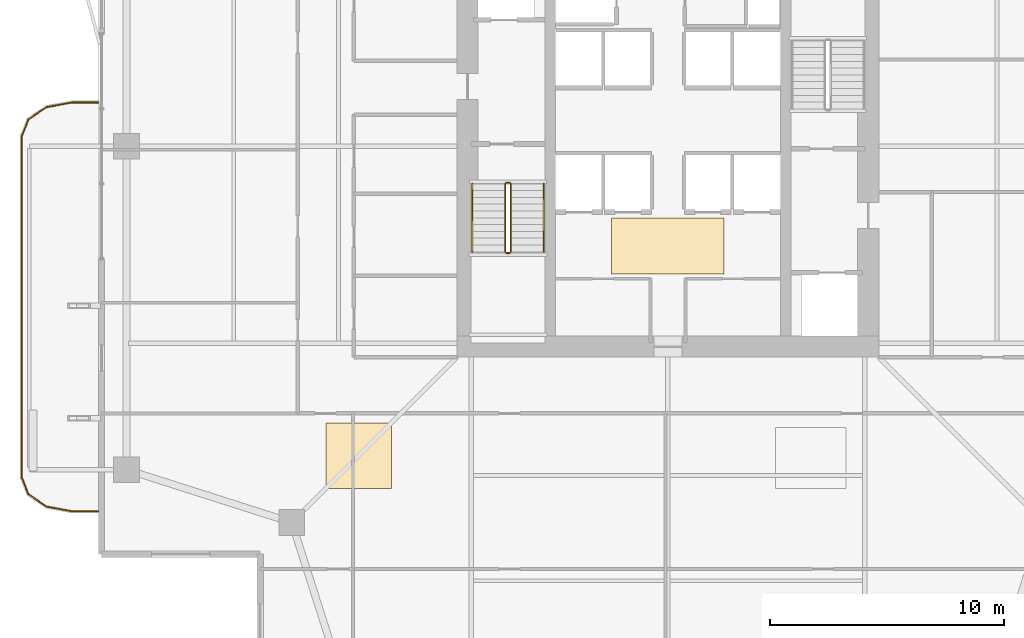
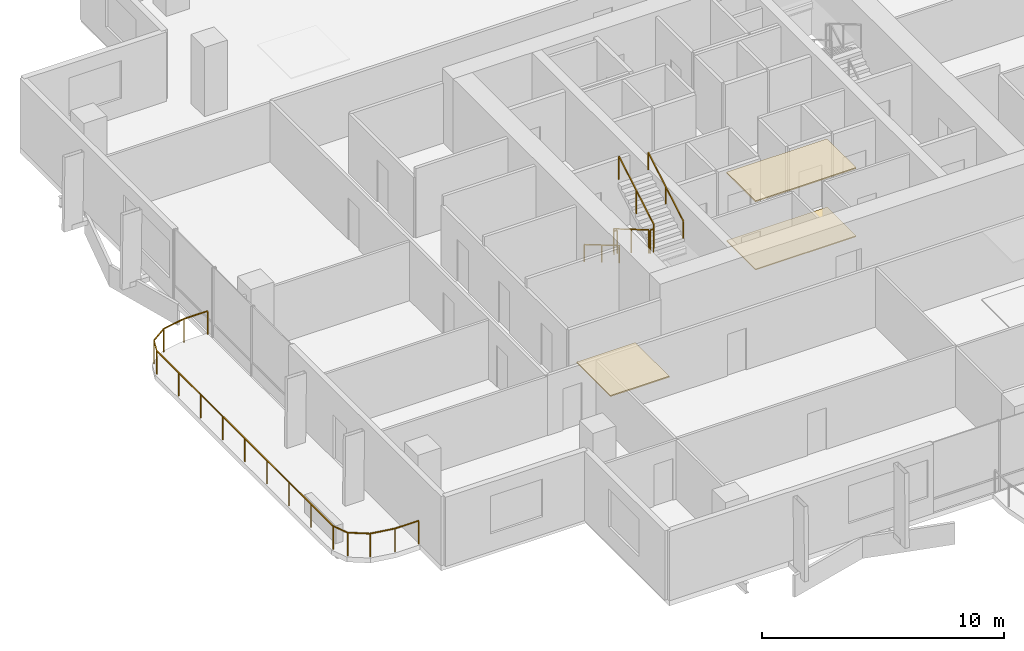
# One storey, part 22 of 24: 7 railings, 3 coverings.
"""IFC4 building model written with IfcOpenShell, lengths in metres."""

from ifc_helpers import new_model, si_unit, direction, frame, origin, origin_2d, place, context, subcontext, project, spatial, polyline, rectangle, outline, extrude, material, layer, layer_set, type_object, element, save


model = new_model("IFC4")

# Units and contexts
model_context = context("Model", 3, precision=1e-05, world=origin(), true_north=direction((0.0, 1.0)))
body_context = subcontext(model_context, "Body", "Model", "MODEL_VIEW")
ifc_project = project(units=[si_unit("LENGTHUNIT", "METRE"), si_unit("AREAUNIT", "SQUARE_METRE"), si_unit("VOLUMEUNIT", "CUBIC_METRE"), si_unit("PLANEANGLEUNIT", "RADIAN"), si_unit("MASSUNIT", "GRAM", prefix="KILO")], contexts=[model_context])

# Site, building, storey
site_placement = place(None, origin())
site = spatial("IfcSite", under=ifc_project, at=site_placement, CompositionType="ELEMENT")
building_placement = place(site_placement, origin())
building = spatial("IfcBuilding", under=site, at=building_placement, Name="Belovzor Exchange Tower", CompositionType="ELEMENT")
storey_placement = place(building_placement, frame((0.0, 0.0, 179.550048828125)))
storey = spatial("IfcBuildingStorey", under=building, at=storey_placement, Name="L44", CompositionType="ELEMENT", Elevation=179.550048828125)

# Railings
ifc_material_1 = material(Name="Stainless Steel Grade 304", Category="steel")
railing_type_1 = type_object("IfcRailingType", Name="Brushed Stainless Steel Stair Handrail 900", PredefinedType="HANDRAIL", material=ifc_material_1)
railing_1_placement = place(storey_placement, frame((20.449951171875, 27.199951171875, 0.17041015625)))
element("IfcRailing", 1, at=railing_1_placement, inside=storey, type_object=railing_type_1, Name="L44 ST-1 stair handrail 1", PredefinedType="HANDRAIL", context=body_context, shape_type="SweptSolid", body=[
    extrude(rectangle(XDim=0.048095703125, YDim=0.048095703125, at=origin_2d()), frame((0.0, 0.0, 0.8759765625), z_axis=(0.0, -0.86209462966, 0.506747323142), x_axis=(1.0, 0.0, 0.0)), (0.0, 0.0, 1.0), 3.36376953125),
    extrude(rectangle(XDim=0.0419921875, YDim=0.0419921875, at=origin_2d()), origin(), (0.0, 0.0, 1.0), 0.851806640625),
    extrude(rectangle(XDim=0.0419921875, YDim=0.0419921875, at=origin_2d()), frame((0.0, -1.449951171875, 0.852294921875)), (0.0, 0.0, 1.0), 0.851806640625),
    extrude(rectangle(XDim=0.0419921875, YDim=0.0419921875, at=origin_2d()), frame((0.0, -2.89990234375, 1.70458984375)), (0.0, 0.0, 1.0), 0.851806640625),
])
railing_2_placement = place(storey_placement, frame((23.5, 24.300048828125, 2.04541015625)))
element("IfcRailing", 2, at=railing_2_placement, inside=storey, type_object=railing_type_1, Name="L44 ST-1 stair handrail 2", PredefinedType="HANDRAIL", context=body_context, shape_type="SweptSolid", body=[
    extrude(rectangle(XDim=0.048095703125, YDim=0.048095703125, at=origin_2d()), frame((0.0, 0.0, 0.8759765625), z_axis=(0.0, 0.86209462966, 0.506747323142), x_axis=(-1.0, 0.0, 0.0)), (0.0, 0.0, 1.0), 3.36376953125),
    extrude(rectangle(XDim=0.0419921875, YDim=0.0419921875, at=origin_2d()), origin(), (0.0, 0.0, 1.0), 0.851806640625),
    extrude(rectangle(XDim=0.0419921875, YDim=0.0419921875, at=origin_2d()), frame((0.0, 1.449951171875, 0.852294921875)), (0.0, 0.0, 1.0), 0.851806640625),
    extrude(rectangle(XDim=0.0419921875, YDim=0.0419921875, at=origin_2d()), frame((0.0, 2.89990234375, 1.70458984375)), (0.0, 0.0, 1.0), 0.851806640625),
])
ifc_material_2 = material(Name="Stainless Steel and Laminated Safety Glass", Category="steel")
railing_type_2 = type_object("IfcRailingType", Name="Laminated Glass & Stainless Steel Balcony Balustrade 1200", PredefinedType="BALUSTRADE", material=ifc_material_2)
railing_3_placement = place(storey_placement, frame((4.489990234375, 30.669921875, 0.0)))
element("IfcRailing", 3, at=railing_3_placement, inside=storey, type_object=railing_type_2, Name="GR-1 Balcony Balustrade L44 West", PredefinedType="BALUSTRADE", context=body_context, shape_type="SweptSolid", body=[
    extrude(rectangle(XDim=0.048095703125, YDim=0.048095703125, at=origin_2d()), frame((0.0, 0.0, 1.17578125), z_axis=(-1.0, 0.0, 0.0), x_axis=(0.0, -1.0, 0.0)), (0.0, 0.0, 1.0), 1.133056640625),
    extrude(rectangle(XDim=0.048095703125, YDim=0.048095703125, at=origin_2d()), frame((-1.133056640625, 0.0, 1.17578125), z_axis=(-0.983644145941, -0.180122719713, 0.0), x_axis=(0.180122719713, -0.983644145941, 0.0)), (0.0, 0.0, 1.0), 1.09375),
    extrude(rectangle(XDim=0.048095703125, YDim=0.048095703125, at=origin_2d()), frame((-2.208984375, -0.197021484375, 1.17578125), z_axis=(-0.826614792125, -0.562768145367, 0.0), x_axis=(0.562768145367, -0.826614792125, 0.0)), (0.0, 0.0, 1.0), 0.9326171875),
    extrude(rectangle(XDim=0.048095703125, YDim=0.048095703125, at=origin_2d()), frame((-2.97998046875, -0.721923828125, 1.17578125), z_axis=(-0.365612923861, -0.930766990125, 0.0), x_axis=(0.930766990125, -0.365612923861, 0.0)), (0.0, 0.0, 1.0), 0.765869140625),
    extrude(rectangle(XDim=0.048095703125, YDim=0.048095703125, at=origin_2d()), frame((-3.260009765625, -1.434814453125, 1.17578125), z_axis=(0.0, -1.0, 0.0), x_axis=(1.0, 0.0, 0.0)), (0.0, 0.0, 1.0), 14.570068359375),
    extrude(rectangle(XDim=0.048095703125, YDim=0.048095703125, at=origin_2d()), frame((-3.260009765625, -16.0048828125, 1.17578125), z_axis=(0.365504480807, -0.930809580156, 0.0), x_axis=(0.930809580156, 0.365504480807, 0.0)), (0.0, 0.0, 1.0), 0.76611328125),
    extrude(rectangle(XDim=0.048095703125, YDim=0.048095703125, at=origin_2d()), frame((-2.97998046875, -16.718017578125, 1.17578125), z_axis=(0.826614792125, -0.562768145367, 0.0), x_axis=(0.562768145367, 0.826614792125, 0.0)), (0.0, 0.0, 1.0), 0.9326171875),
    extrude(rectangle(XDim=0.048095703125, YDim=0.048095703125, at=origin_2d()), frame((-2.208984375, -17.242919921875, 1.17578125), z_axis=(0.983644145941, -0.180122719713, 0.0), x_axis=(0.180122719713, 0.983644145941, 0.0)), (0.0, 0.0, 1.0), 1.09375),
    extrude(rectangle(XDim=0.048095703125, YDim=0.048095703125, at=origin_2d()), frame((-1.133056640625, -17.43994140625, 1.17578125), z_axis=(1.0, 0.0, 0.0), x_axis=(0.0, 1.0, 0.0)), (0.0, 0.0, 1.0), 1.133056640625),
    extrude(rectangle(XDim=0.0419921875, YDim=0.0419921875, at=origin_2d()), origin(), (0.0, 0.0, 1.0), 1.15185546875),
    extrude(rectangle(XDim=0.0419921875, YDim=0.0419921875, at=origin_2d()), frame((-1.133056640625, 0.0, 0.0)), (0.0, 0.0, 1.0), 1.15185546875),
    extrude(rectangle(XDim=0.0419921875, YDim=0.0419921875, at=origin_2d()), frame((-2.208984375, -0.197021484375, 0.0)), (0.0, 0.0, 1.0), 1.15185546875),
    extrude(rectangle(XDim=0.0419921875, YDim=0.0419921875, at=origin_2d()), frame((-2.97998046875, -0.721923828125, 0.0)), (0.0, 0.0, 1.0), 1.15185546875),
    extrude(rectangle(XDim=0.0419921875, YDim=0.0419921875, at=origin_2d()), frame((-3.260009765625, -1.434814453125, 0.0)), (0.0, 0.0, 1.0), 1.15185546875),
    extrude(rectangle(XDim=0.0419921875, YDim=0.0419921875, at=origin_2d()), frame((-3.260009765625, -3.256103515625, 0.0)), (0.0, 0.0, 1.0), 1.15185546875),
    extrude(rectangle(XDim=0.0419921875, YDim=0.0419921875, at=origin_2d()), frame((-3.260009765625, -5.077392578125, 0.0)), (0.0, 0.0, 1.0), 1.15185546875),
    extrude(rectangle(XDim=0.0419921875, YDim=0.0419921875, at=origin_2d()), frame((-3.260009765625, -6.898681640625, 0.0)), (0.0, 0.0, 1.0), 1.15185546875),
    extrude(rectangle(XDim=0.0419921875, YDim=0.0419921875, at=origin_2d()), frame((-3.260009765625, -8.7197265625, 0.0)), (0.0, 0.0, 1.0), 1.15185546875),
    extrude(rectangle(XDim=0.0419921875, YDim=0.0419921875, at=origin_2d()), frame((-3.260009765625, -10.541015625, 0.0)), (0.0, 0.0, 1.0), 1.15185546875),
    extrude(rectangle(XDim=0.0419921875, YDim=0.0419921875, at=origin_2d()), frame((-3.260009765625, -12.3623046875, 0.0)), (0.0, 0.0, 1.0), 1.15185546875),
    extrude(rectangle(XDim=0.0419921875, YDim=0.0419921875, at=origin_2d()), frame((-3.260009765625, -14.18359375, 0.0)), (0.0, 0.0, 1.0), 1.15185546875),
    extrude(rectangle(XDim=0.0419921875, YDim=0.0419921875, at=origin_2d()), frame((-3.260009765625, -16.0048828125, 0.0)), (0.0, 0.0, 1.0), 1.15185546875),
    extrude(rectangle(XDim=0.0419921875, YDim=0.0419921875, at=origin_2d()), frame((-2.97998046875, -16.718017578125, 0.0)), (0.0, 0.0, 1.0), 1.15185546875),
    extrude(rectangle(XDim=0.0419921875, YDim=0.0419921875, at=origin_2d()), frame((-2.208984375, -17.242919921875, 0.0)), (0.0, 0.0, 1.0), 1.15185546875),
    extrude(rectangle(XDim=0.0419921875, YDim=0.0419921875, at=origin_2d()), frame((-1.133056640625, -17.43994140625, 0.0)), (0.0, 0.0, 1.0), 1.15185546875),
    extrude(rectangle(XDim=0.0419921875, YDim=0.0419921875, at=origin_2d()), frame((0.0, -17.43994140625, 0.0)), (0.0, 0.0, 1.0), 1.15185546875),
])
ifc_material_3 = material(Name="Steel S355", Category="steel")
railing_type_3 = type_object("IfcRailingType", Name="Painted Steel Stairwell Guardrail 1200", PredefinedType="GUARDRAIL", material=ifc_material_3)
railing_4_placement = place(storey_placement, frame((21.85009765625, 27.199951171875, 0.17041015625)))
element("IfcRailing", 4, at=railing_4_placement, inside=storey, type_object=railing_type_3, Name="L44 ST-1 stair guard 1", PredefinedType="GUARDRAIL", context=body_context, shape_type="SweptSolid", body=[
    extrude(rectangle(XDim=0.048095703125, YDim=0.048095703125, at=origin_2d()), frame((0.0, 0.0, 1.17578125), z_axis=(0.0, -0.86209462966, 0.506747323142), x_axis=(1.0, 0.0, 0.0)), (0.0, 0.0, 1.0), 3.36376953125),
    extrude(rectangle(XDim=0.0419921875, YDim=0.0419921875, at=origin_2d()), origin(), (0.0, 0.0, 1.0), 1.15185546875),
    extrude(rectangle(XDim=0.0419921875, YDim=0.0419921875, at=origin_2d()), frame((0.0, -1.449951171875, 0.852294921875)), (0.0, 0.0, 1.0), 1.15185546875),
    extrude(rectangle(XDim=0.0419921875, YDim=0.0419921875, at=origin_2d()), frame((0.0, -2.89990234375, 1.70458984375)), (0.0, 0.0, 1.0), 1.15185546875),
])
railing_5_placement = place(storey_placement, frame((21.89990234375, 24.25, 1.875)))
element("IfcRailing", 5, at=railing_5_placement, inside=storey, type_object=railing_type_3, Name="L44 ST-1 stair guard 2", PredefinedType="GUARDRAIL", context=body_context, shape_type="SweptSolid", body=[
    extrude(rectangle(XDim=0.048095703125, YDim=0.048095703125, at=origin_2d()), frame((0.0, 0.0, 1.17578125), z_axis=(1.0, 0.0, 0.0), x_axis=(0.0, 1.0, 0.0)), (0.0, 0.0, 1.0), 0.150146484375),
    extrude(rectangle(XDim=0.0419921875, YDim=0.0419921875, at=origin_2d()), origin(), (0.0, 0.0, 1.0), 1.15185546875),
    extrude(rectangle(XDim=0.0419921875, YDim=0.0419921875, at=origin_2d()), frame((0.150146484375, 0.0, 0.0)), (0.0, 0.0, 1.0), 1.15185546875),
])
railing_6_placement = place(storey_placement, frame((22.10009765625, 24.300048828125, 2.04541015625)))
element("IfcRailing", 6, at=railing_6_placement, inside=storey, type_object=railing_type_3, Name="L44 ST-1 stair guard 3", PredefinedType="GUARDRAIL", context=body_context, shape_type="SweptSolid", body=[
    extrude(rectangle(XDim=0.048095703125, YDim=0.048095703125, at=origin_2d()), frame((0.0, 0.0, 1.17578125), z_axis=(0.0, 0.86209462966, 0.506747323142), x_axis=(-1.0, 0.0, 0.0)), (0.0, 0.0, 1.0), 3.36376953125),
    extrude(rectangle(XDim=0.0419921875, YDim=0.0419921875, at=origin_2d()), origin(), (0.0, 0.0, 1.0), 1.15185546875),
    extrude(rectangle(XDim=0.0419921875, YDim=0.0419921875, at=origin_2d()), frame((0.0, 1.449951171875, 0.852294921875)), (0.0, 0.0, 1.0), 1.15185546875),
    extrude(rectangle(XDim=0.0419921875, YDim=0.0419921875, at=origin_2d()), frame((0.0, 2.89990234375, 1.70458984375)), (0.0, 0.0, 1.0), 1.15185546875),
])
railing_7_placement = place(storey_placement, frame((21.89990234375, 27.25, 0.0)))
element("IfcRailing", 7, at=railing_7_placement, inside=storey, type_object=railing_type_3, Name="L44 ST-1 stair guard 4", PredefinedType="GUARDRAIL", context=body_context, shape_type="SweptSolid", body=[
    extrude(rectangle(XDim=0.048095703125, YDim=0.048095703125, at=origin_2d()), frame((0.0, 0.0, 1.17578125), z_axis=(1.0, 0.0, 0.0), x_axis=(0.0, 1.0, 0.0)), (0.0, 0.0, 1.0), 0.150146484375),
    extrude(rectangle(XDim=0.0419921875, YDim=0.0419921875, at=origin_2d()), origin(), (0.0, 0.0, 1.0), 1.15185546875),
    extrude(rectangle(XDim=0.0419921875, YDim=0.0419921875, at=origin_2d()), frame((0.150146484375, 0.0, 0.0)), (0.0, 0.0, 1.0), 1.15185546875),
])

# Coverings
ifc_material_4 = material(Name="Perforated Powder-Coated Aluminium", Category="aluminium")
ifc_layer_1 = layer(ifc_material_4, 0.06005859375)
ifc_layer_set_1 = layer_set([ifc_layer_1], Name="Perforated Powder-Coated Aluminium")
covering_type_1 = type_object("IfcCoveringType", Name="Perforated Acoustic Metal Tile Suspended Ceiling 60", PredefinedType="CEILING", material=ifc_layer_set_1)
covering_1_placement = place(storey_placement, frame((0.0, 0.0, 3.43505859375)))
element("IfcCovering", 8, at=covering_1_placement, inside=storey, type_object=covering_type_1, Name="CLG-AC60 Suspended Ceiling CLG-L44-LOB", PredefinedType="CEILING", context=body_context, shape_type="SweptSolid", body=[
    extrude(outline(polyline([(26.39990234375, 23.35009765625), (31.199951171875, 23.35009765625), (31.199951171875, 25.75), (26.39990234375, 25.75), (26.39990234375, 23.35009765625)])), origin(), (0.0, 0.0, 1.0), 0.059814453125),
])
covering_2_placement = place(storey_placement, frame((0.0, 0.0, 3.43505859375)))
element("IfcCovering", 9, at=covering_2_placement, inside=storey, type_object=covering_type_1, Name="CLG-AC60 Suspended Ceiling CLG-L44-Z0", PredefinedType="CEILING", context=body_context, shape_type="SweptSolid", body=[
    extrude(outline(polyline([(14.199951171875, 14.199951171875), (17.0, 14.199951171875), (17.0, 17.0), (14.199951171875, 17.0), (14.199951171875, 14.199951171875)])), origin(), (0.0, 0.0, 1.0), 0.059814453125),
])
ifc_material_5 = material(Name="Polished Natural Granite Tile", Category="masonry")
ifc_layer_2 = layer(ifc_material_5, 0.050048828125)
ifc_layer_set_2 = layer_set([ifc_layer_2], Name="Polished Natural Granite Tile")
covering_type_2 = type_object("IfcCoveringType", Name="Polished Karelian Granite & Raised Access Floor Finish 50", PredefinedType="FLOORING", material=ifc_layer_set_2)
covering_3_placement = place(storey_placement, origin())
element("IfcCovering", 10, at=covering_3_placement, inside=storey, type_object=covering_type_2, Name="FLR-GR50 Floor Finish FLR-L44-LOB", PredefinedType="FLOORING", context=body_context, shape_type="SweptSolid", body=[
    extrude(outline(polyline([(26.39990234375, 23.35009765625), (31.199951171875, 23.35009765625), (31.199951171875, 25.75), (26.39990234375, 25.75), (26.39990234375, 23.35009765625)])), origin(), (0.0, 0.0, 1.0), 0.050048828125),
])

save(model, "model.ifc")
